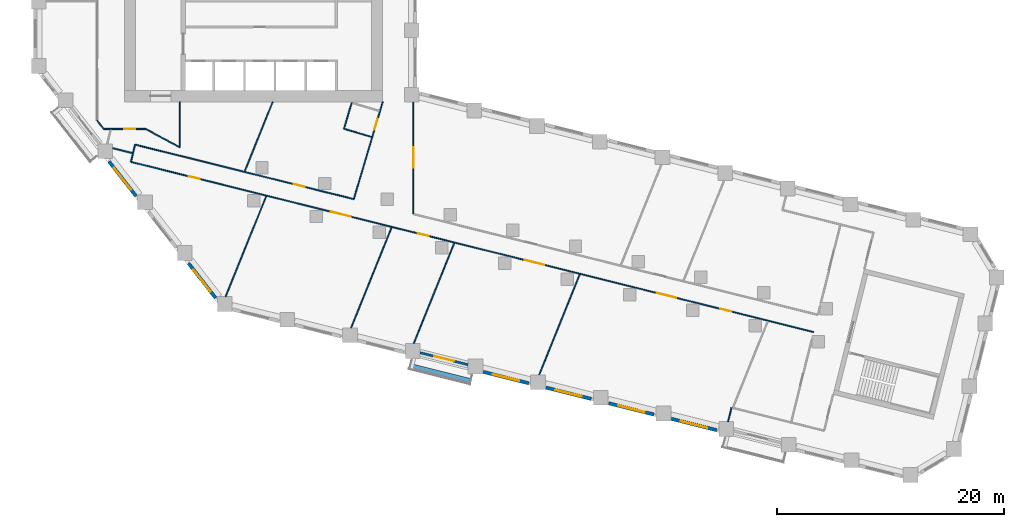
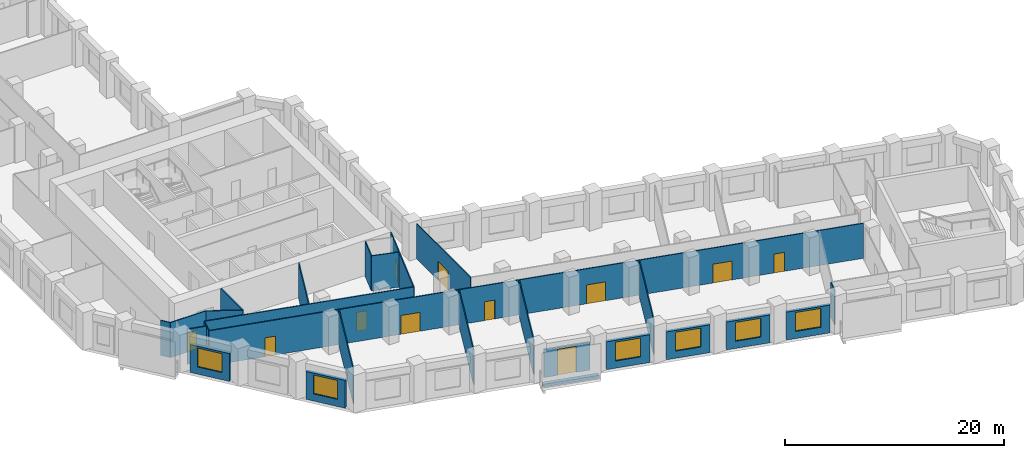
# One storey, part 3 of 10: 26 walls, 11 doors, 6 windows, 17 openings.
"""IFC4 building model written with IfcOpenShell, lengths in metres."""

from ifc_helpers import new_model, si_unit, direction, frame, frame_2d, origin, place, context, subcontext, project, spatial, rectangle, extrude, material, layer, layer_set, type_object, element, fill, save


model = new_model("IFC4")

# Units and contexts
model_context = context("Model", 3, precision=1e-05, world=origin(), true_north=direction((0.0, 1.0)))
body_context = subcontext(model_context, "Body", "Model", "MODEL_VIEW")
ifc_project = project(units=[si_unit("LENGTHUNIT", "METRE"), si_unit("AREAUNIT", "SQUARE_METRE"), si_unit("VOLUMEUNIT", "CUBIC_METRE"), si_unit("PLANEANGLEUNIT", "RADIAN"), si_unit("MASSUNIT", "GRAM", prefix="KILO")], contexts=[model_context])

# Site, building, storey
site_placement = place(None, origin())
site = spatial("IfcSite", under=ifc_project, at=site_placement, CompositionType="ELEMENT")
building_placement = place(site_placement, origin())
building = spatial("IfcBuilding", under=site, at=building_placement, Name="Meshkara Civic Tower", CompositionType="ELEMENT")
storey_placement = place(building_placement, frame((0.0, 0.0, 122.39990234375)))
storey = spatial("IfcBuildingStorey", under=building, at=storey_placement, Name="L27", CompositionType="ELEMENT", Elevation=122.39990234375)

# Wall
ifc_material_1 = material(Name="Corridor wall 100")
ifc_layer_1 = layer(ifc_material_1, 0.10009765625)
ifc_layer_set_1 = layer_set([ifc_layer_1], Name="Corridor wall 100")
wall_type_1 = type_object("IfcWallType", Name="Corridor wall 100", PredefinedType="PARTITIONING", material=ifc_layer_set_1)
wall_1_placement = place(storey_placement, frame((5.60009765625, 12.449951171875, 0.0), z_axis=(0.0, 0.0, 1.0), x_axis=(0.615644041972, -0.788024373725, 0.0)))
element("IfcWall", 1, at=wall_1_placement, inside=storey, type_object=wall_type_1, Name="L27-W004", PredefinedType="PARTITIONING", context=body_context, shape_type="SweptSolid", body=[
    extrude(rectangle(XDim=0.95166015625, YDim=0.10009765625, at=frame_2d((0.475830078125, 0.0))), origin(), (0.0, 0.0, 1.0), 3.900146484375),
])

# Wall, opening, door
wall_2_placement = place(storey_placement, frame((6.18603515625, 11.699951171875, 0.0), z_axis=(0.0, 0.0, 1.0), x_axis=(1.0, 0.0, 0.0)))
wall_2 = element("IfcWall", 2, at=wall_2_placement, inside=storey, type_object=wall_type_1, Name="L27-W006", PredefinedType="PARTITIONING", context=body_context, shape_type="SweptSolid", body=[
    extrude(rectangle(XDim=3.7138671875, YDim=0.10009765625, at=frame_2d((1.85693359375, 0.0))), origin(), (0.0, 0.0, 1.0), 3.900146484375),
])
opening_1_placement = place(wall_2_placement, frame((1.791015625, 0.0, 0.0)))
opening_1 = element("IfcOpeningElement", 3, at=opening_1_placement, cuts=wall_2, Name="Opening L27-D012", PredefinedType="OPENING", context=body_context, shape_type="SweptSolid", body=[
    extrude(rectangle(XDim=1.0, YDim=2.10009765625, at=frame_2d((0.5, 1.050048828125))), frame((0.0, 0.06005859375, 0.0), z_axis=(0.0, -1.0, 0.0), x_axis=(1.0, 0.0, 0.0)), (0.0, 0.0, 1.0), 0.1201171875),
])
ifc_material_2 = material(Name="Door 1000 x 2100")
door_type_1 = type_object("IfcDoorType", Name="Door 1000 x 2100", OperationType="SINGLE_SWING_LEFT", PredefinedType="DOOR", material=ifc_material_2)
door_1_placement = place(opening_1_placement, origin())
door_1 = element("IfcDoor", 4, at=door_1_placement, inside=storey, type_object=door_type_1, Name="L27-D012", OperationType="SINGLE_SWING_LEFT", OverallHeight=2.10009765625, OverallWidth=1.0, PredefinedType="DOOR", context=body_context, shape_type="SweptSolid", body=[
    extrude(rectangle(XDim=1.0, YDim=2.10009765625, at=frame_2d((0.5, 1.050048828125))), frame((0.0, 0.02490234375, 0.0), z_axis=(0.0, -1.0, 0.0), x_axis=(1.0, 0.0, 0.0)), (0.0, 0.0, 1.0), 0.050048828125),
])
fill(opening_1, door_1)

# Wall, openings, doors
wall_3_placement = place(storey_placement, frame((8.5791015625, 8.802978515625, 0.0), z_axis=(0.0, 0.0, 1.0), x_axis=(0.970297306393, -0.241915558008, 0.0)))
wall_3 = element("IfcWall", 5, at=wall_3_placement, inside=storey, type_object=wall_type_1, Name="L27-W008", PredefinedType="PARTITIONING", context=body_context, shape_type="SweptSolid", body=[
    extrude(rectangle(XDim=62.07568359375, YDim=0.10009765625, at=frame_2d((31.037841796875, 0.0))), origin(), (0.0, 0.0, 1.0), 3.900146484375),
])
opening_2_placement = place(wall_3_placement, frame((35.799072265625, 0.0, 0.0)))
opening_2 = element("IfcOpeningElement", 6, at=opening_2_placement, cuts=wall_3, Name="Opening L27-D003", PredefinedType="OPENING", context=body_context, shape_type="SweptSolid", body=[
    extrude(rectangle(XDim=1.800048828125, YDim=2.10009765625, at=frame_2d((0.89990234375, 1.050048828125))), frame((0.0, 0.06005859375, 0.0), z_axis=(0.0, -1.0, 0.0), x_axis=(1.0, 0.0, 0.0)), (0.0, 0.0, 1.0), 0.1201171875),
])
opening_3_placement = place(wall_3_placement, frame((47.799072265625, 0.0, 0.0)))
opening_3 = element("IfcOpeningElement", 7, at=opening_3_placement, cuts=wall_3, Name="Opening L27-D005", PredefinedType="OPENING", context=body_context, shape_type="SweptSolid", body=[
    extrude(rectangle(XDim=1.800048828125, YDim=2.10009765625, at=frame_2d((0.89990234375, 1.050048828125))), frame((0.0, 0.06005859375, 0.0), z_axis=(0.0, -1.0, 0.0), x_axis=(1.0, 0.0, 0.0)), (0.0, 0.0, 1.0), 0.1201171875),
])
opening_4_placement = place(wall_3_placement, frame((53.59912109375, 0.0, 0.0)))
opening_4 = element("IfcOpeningElement", 8, at=opening_4_placement, cuts=wall_3, Name="Opening L27-D006", PredefinedType="OPENING", context=body_context, shape_type="SweptSolid", body=[
    extrude(rectangle(XDim=1.0, YDim=2.10009765625, at=frame_2d((0.5, 1.050048828125))), frame((0.0, 0.06005859375, 0.0), z_axis=(0.0, -1.0, 0.0), x_axis=(1.0, 0.0, 0.0)), (0.0, 0.0, 1.0), 0.1201171875),
])
opening_5_placement = place(wall_3_placement, frame((18.199951171875, 0.0, 0.0)))
opening_5 = element("IfcOpeningElement", 9, at=opening_5_placement, cuts=wall_3, Name="Opening L27-D007", PredefinedType="OPENING", context=body_context, shape_type="SweptSolid", body=[
    extrude(rectangle(XDim=1.800048828125, YDim=2.10009765625, at=frame_2d((0.89990234375, 1.050048828125))), frame((0.0, 0.06005859375, 0.0), z_axis=(0.0, -1.0, 0.0), x_axis=(1.0, 0.0, 0.0)), (0.0, 0.0, 1.0), 0.1201171875),
])
opening_6_placement = place(wall_3_placement, frame((26.09912109375, 0.0, 0.0)))
opening_6 = element("IfcOpeningElement", 10, at=opening_6_placement, cuts=wall_3, Name="Opening L27-D008", PredefinedType="OPENING", context=body_context, shape_type="SweptSolid", body=[
    extrude(rectangle(XDim=1.0, YDim=2.10009765625, at=frame_2d((0.5, 1.050048828125))), frame((0.0, 0.06005859375, 0.0), z_axis=(0.0, -1.0, 0.0), x_axis=(1.0, 0.0, 0.0)), (0.0, 0.0, 1.0), 0.1201171875),
])
opening_7_placement = place(wall_3_placement, frame((5.280029296875, 0.0, 0.0)))
opening_7 = element("IfcOpeningElement", 11, at=opening_7_placement, cuts=wall_3, Name="Opening L27-D013", PredefinedType="OPENING", context=body_context, shape_type="SweptSolid", body=[
    extrude(rectangle(XDim=1.0, YDim=2.10009765625, at=frame_2d((0.5, 1.050048828125))), frame((0.0, 0.06005859375, 0.0), z_axis=(0.0, -1.0, 0.0), x_axis=(1.0, 0.0, 0.0)), (0.0, 0.0, 1.0), 0.1201171875),
])
door_2_placement = place(opening_4_placement, origin())
door_2 = element("IfcDoor", 12, at=door_2_placement, inside=storey, type_object=door_type_1, Name="L27-D006", OperationType="SINGLE_SWING_LEFT", OverallHeight=2.10009765625, OverallWidth=1.0, PredefinedType="DOOR", context=body_context, shape_type="SweptSolid", body=[
    extrude(rectangle(XDim=1.0, YDim=2.10009765625, at=frame_2d((0.5, 1.050048828125))), frame((0.0, 0.02490234375, 0.0), z_axis=(0.0, -1.0, 0.0), x_axis=(1.0, 0.0, 0.0)), (0.0, 0.0, 1.0), 0.050048828125),
])
fill(opening_4, door_2)
door_3_placement = place(opening_6_placement, origin())
door_3 = element("IfcDoor", 13, at=door_3_placement, inside=storey, type_object=door_type_1, Name="L27-D008", OperationType="SINGLE_SWING_LEFT", OverallHeight=2.10009765625, OverallWidth=1.0, PredefinedType="DOOR", context=body_context, shape_type="SweptSolid", body=[
    extrude(rectangle(XDim=1.0, YDim=2.10009765625, at=frame_2d((0.5, 1.050048828125))), frame((0.0, 0.02490234375, 0.0), z_axis=(0.0, -1.0, 0.0), x_axis=(1.0, 0.0, 0.0)), (0.0, 0.0, 1.0), 0.050048828125),
])
fill(opening_6, door_3)
door_4_placement = place(opening_7_placement, origin())
door_4 = element("IfcDoor", 14, at=door_4_placement, inside=storey, type_object=door_type_1, Name="L27-D013", OperationType="SINGLE_SWING_RIGHT", OverallHeight=2.10009765625, OverallWidth=1.0, PredefinedType="DOOR", context=body_context, shape_type="SweptSolid", body=[
    extrude(rectangle(XDim=1.0, YDim=2.10009765625, at=frame_2d((0.5, 1.050048828125))), frame((0.0, 0.02490234375, 0.0), z_axis=(0.0, -1.0, 0.0), x_axis=(1.0, 0.0, 0.0)), (0.0, 0.0, 1.0), 0.050048828125),
])
fill(opening_7, door_4)
ifc_material_3 = material(Name="Door pair 1800 x 2100")
door_type_2 = type_object("IfcDoorType", Name="Door pair 1800 x 2100", OperationType="SINGLE_SWING_LEFT", PredefinedType="DOOR", material=ifc_material_3)
door_5_placement = place(opening_2_placement, origin())
door_5 = element("IfcDoor", 15, at=door_5_placement, inside=storey, type_object=door_type_2, Name="L27-D003", OperationType="DOUBLE_DOOR_SINGLE_SWING", OverallHeight=2.10009765625, OverallWidth=1.800048828125, PredefinedType="DOOR", context=body_context, shape_type="SweptSolid", body=[
    extrude(rectangle(XDim=1.800048828125, YDim=2.10009765625, at=frame_2d((0.89990234375, 1.050048828125))), frame((0.0, 0.02490234375, 0.0), z_axis=(0.0, -1.0, 0.0), x_axis=(1.0, 0.0, 0.0)), (0.0, 0.0, 1.0), 0.050048828125),
])
fill(opening_2, door_5)
door_6_placement = place(opening_3_placement, origin())
door_6 = element("IfcDoor", 16, at=door_6_placement, inside=storey, type_object=door_type_2, Name="L27-D005", OperationType="DOUBLE_DOOR_SINGLE_SWING", OverallHeight=2.10009765625, OverallWidth=1.800048828125, PredefinedType="DOOR", context=body_context, shape_type="SweptSolid", body=[
    extrude(rectangle(XDim=1.800048828125, YDim=2.10009765625, at=frame_2d((0.89990234375, 1.050048828125))), frame((0.0, 0.02490234375, 0.0), z_axis=(0.0, -1.0, 0.0), x_axis=(1.0, 0.0, 0.0)), (0.0, 0.0, 1.0), 0.050048828125),
])
fill(opening_3, door_6)
door_7_placement = place(opening_5_placement, origin())
door_7 = element("IfcDoor", 17, at=door_7_placement, inside=storey, type_object=door_type_2, Name="L27-D007", OperationType="DOUBLE_DOOR_SINGLE_SWING", OverallHeight=2.10009765625, OverallWidth=1.800048828125, PredefinedType="DOOR", context=body_context, shape_type="SweptSolid", body=[
    extrude(rectangle(XDim=1.800048828125, YDim=2.10009765625, at=frame_2d((0.89990234375, 1.050048828125))), frame((0.0, 0.02490234375, 0.0), z_axis=(0.0, -1.0, 0.0), x_axis=(1.0, 0.0, 0.0)), (0.0, 0.0, 1.0), 0.050048828125),
])
fill(opening_5, door_7)

# Wall, opening, door
wall_4_placement = place(storey_placement, frame((8.9580078125, 10.322998046875, 0.0), z_axis=(0.0, 0.0, 1.0), x_axis=(0.970298340477, -0.241911410372, 0.0)))
wall_4 = element("IfcWall", 18, at=wall_4_placement, inside=storey, type_object=wall_type_1, Name="L27-W009", PredefinedType="PARTITIONING", context=body_context, shape_type="SweptSolid", body=[
    extrude(rectangle(XDim=19.879638671875, YDim=0.10009765625, at=frame_2d((9.93994140625, 0.0))), origin(), (0.0, 0.0, 1.0), 3.900146484375),
])
opening_8_placement = place(wall_4_placement, frame((14.4169921875, 0.0, 0.0)))
opening_8 = element("IfcOpeningElement", 19, at=opening_8_placement, cuts=wall_4, Name="Opening L27-D014", PredefinedType="OPENING", context=body_context, shape_type="SweptSolid", body=[
    extrude(rectangle(XDim=1.0, YDim=2.10009765625, at=frame_2d((0.5, 1.050048828125))), frame((0.0, 0.06005859375, 0.0), z_axis=(0.0, -1.0, 0.0), x_axis=(1.0, 0.0, 0.0)), (0.0, 0.0, 1.0), 0.1201171875),
])
door_8_placement = place(opening_8_placement, origin())
door_8 = element("IfcDoor", 20, at=door_8_placement, inside=storey, type_object=door_type_1, Name="L27-D014", OperationType="SINGLE_SWING_RIGHT", OverallHeight=2.10009765625, OverallWidth=1.0, PredefinedType="DOOR", context=body_context, shape_type="SweptSolid", body=[
    extrude(rectangle(XDim=1.0, YDim=2.10009765625, at=frame_2d((0.5, 1.050048828125))), frame((0.0, 0.02490234375, 0.0), z_axis=(0.0, -1.0, 0.0), x_axis=(1.0, 0.0, 0.0)), (0.0, 0.0, 1.0), 0.050048828125),
])
fill(opening_8, door_8)

# Walls
wall_5_placement = place(storey_placement, frame((8.9580078125, 10.322998046875, 0.0), z_axis=(0.0, 0.0, 1.0), x_axis=(-0.241875508386, -0.97030729073, 0.0)))
element("IfcWall", 21, at=wall_5_placement, inside=storey, type_object=wall_type_1, Name="L27-W010", PredefinedType="PARTITIONING", context=body_context, shape_type="SweptSolid", body=[
    extrude(rectangle(XDim=1.566650390625, YDim=0.10009765625, at=frame_2d((0.783203125, 0.0))), origin(), (0.0, 0.0, 1.0), 3.900146484375),
])
wall_6_placement = place(storey_placement, frame((9.89990234375, 11.699951171875, 0.0), z_axis=(0.0, 0.0, 1.0), x_axis=(0.87965147249, -0.475618846291, 0.0)))
element("IfcWall", 22, at=wall_6_placement, inside=storey, type_object=wall_type_1, Name="L27-W011", PredefinedType="PARTITIONING", context=body_context, shape_type="SweptSolid", body=[
    extrude(rectangle(XDim=3.410400390625, YDim=0.10009765625, at=frame_2d((1.705078125, 0.0))), origin(), (0.0, 0.0, 1.0), 3.900146484375),
])
wall_7_placement = place(storey_placement, frame((12.89990234375, 10.077880859375, 0.0), z_axis=(0.0, 0.0, 1.0), x_axis=(0.0, 1.0, 0.0)))
element("IfcWall", 23, at=wall_7_placement, inside=storey, type_object=wall_type_1, Name="L27-W016", PredefinedType="PARTITIONING", context=body_context, shape_type="SweptSolid", body=[
    extrude(rectangle(XDim=4.022216796875, YDim=0.10009765625, at=frame_2d((2.01123046875, 0.0))), origin(), (0.0, 0.0, 1.0), 3.900146484375),
])

# Wall, opening, door
wall_8_placement = place(storey_placement, frame((28.2470703125, 5.513916015625, 0.0), z_axis=(0.0, 0.0, 1.0), x_axis=(0.285004107837, 0.958526295162, 0.0)))
wall_8 = element("IfcWall", 24, at=wall_8_placement, inside=storey, type_object=wall_type_1, Name="L27-W020", PredefinedType="PARTITIONING", context=body_context, shape_type="SweptSolid", body=[
    extrude(rectangle(XDim=8.957763671875, YDim=0.10009765625, at=frame_2d((4.47900390625, 0.0))), origin(), (0.0, 0.0, 1.0), 3.900146484375),
])
opening_9_placement = place(wall_8_placement, frame((6.3798828125, 0.0, 0.0)))
opening_9 = element("IfcOpeningElement", 25, at=opening_9_placement, cuts=wall_8, Name="Opening L27-D017", PredefinedType="OPENING", context=body_context, shape_type="SweptSolid", body=[
    extrude(rectangle(XDim=1.0, YDim=2.10009765625, at=frame_2d((0.5, 1.050048828125))), frame((0.0, 0.06005859375, 0.0), z_axis=(0.0, -1.0, 0.0), x_axis=(1.0, 0.0, 0.0)), (0.0, 0.0, 1.0), 0.1201171875),
])
door_9_placement = place(opening_9_placement, origin())
door_9 = element("IfcDoor", 26, at=door_9_placement, inside=storey, type_object=door_type_1, Name="L27-D017", OperationType="SINGLE_SWING_LEFT", OverallHeight=2.10009765625, OverallWidth=1.0, PredefinedType="DOOR", context=body_context, shape_type="SweptSolid", body=[
    extrude(rectangle(XDim=1.0, YDim=2.10009765625, at=frame_2d((0.5, 1.050048828125))), frame((0.0, 0.02490234375, 0.0), z_axis=(0.0, -1.0, 0.0), x_axis=(1.0, 0.0, 0.0)), (0.0, 0.0, 1.0), 0.050048828125),
])
fill(opening_9, door_9)

wall_9_placement = place(storey_placement, frame((33.5, 4.2041015625, 0.0), z_axis=(0.0, 0.0, 1.0), x_axis=(0.0, 1.0, 0.0)))
wall_9 = element("IfcWall", 27, at=wall_9_placement, inside=storey, type_object=wall_type_1, Name="L27-W023", PredefinedType="PARTITIONING", context=body_context, shape_type="SweptSolid", body=[
    extrude(rectangle(XDim=9.864990234375, YDim=0.10009765625, at=frame_2d((4.9326171875, 0.0))), origin(), (0.0, 0.0, 1.0), 3.900146484375),
])
opening_10_placement = place(wall_9_placement, frame((4.080078125, 0.0, 0.0)))
opening_10 = element("IfcOpeningElement", 28, at=opening_10_placement, cuts=wall_9, Name="Opening L27-D015", PredefinedType="OPENING", context=body_context, shape_type="SweptSolid", body=[
    extrude(rectangle(XDim=1.800048828125, YDim=2.10009765625, at=frame_2d((0.89990234375, 1.050048828125))), frame((0.0, 0.06005859375, 0.0), z_axis=(0.0, -1.0, 0.0), x_axis=(1.0, 0.0, 0.0)), (0.0, 0.0, 1.0), 0.1201171875),
])
door_10_placement = place(opening_10_placement, origin())
door_10 = element("IfcDoor", 29, at=door_10_placement, inside=storey, type_object=door_type_2, Name="L27-D015", OperationType="DOUBLE_DOOR_SINGLE_SWING", OverallHeight=2.10009765625, OverallWidth=1.800048828125, PredefinedType="DOOR", context=body_context, shape_type="SweptSolid", body=[
    extrude(rectangle(XDim=1.800048828125, YDim=2.10009765625, at=frame_2d((0.89990234375, 1.050048828125))), frame((0.0, 0.02490234375, 0.0), z_axis=(0.0, -1.0, 0.0), x_axis=(1.0, 0.0, 0.0)), (0.0, 0.0, 1.0), 0.050048828125),
])
fill(opening_10, door_10)

# Wall, opening, window
ifc_material_4 = material(Name="Insulated infill panel with bronze anodised aluminium cladding", Category="aluminium")
ifc_layer_2 = layer(ifc_material_4, 0.300048828125)
ifc_layer_set_2 = layer_set([ifc_layer_2], Name="EXTERNAL INFILL WALL 300")
wall_type_2 = type_object("IfcWallType", Name="EXTERNAL INFILL WALL 300", PredefinedType="SOLIDWALL", material=ifc_layer_set_2)
wall_10_placement = place(storey_placement, frame((6.64892578125, 8.833984375, 0.0), z_axis=(0.0, 0.0, 1.0), x_axis=(0.615535257281, -0.788109349674, 0.0)))
wall_10 = element("IfcWall", 30, at=wall_10_placement, inside=storey, type_object=wall_type_2, Name="External wall", PredefinedType="SOLIDWALL", context=body_context, shape_type="SweptSolid", body=[
    extrude(rectangle(XDim=3.876220703125, YDim=0.300048828125, at=frame_2d((1.93798828125, 0.0))), origin(), (0.0, 0.0, 1.0), 3.10009765625),
])
opening_11_placement = place(wall_10_placement, frame((0.738037109375, 0.0, 0.800048828125)))
opening_11 = element("IfcOpeningElement", 31, at=opening_11_placement, cuts=wall_10, Name="Opening W7", PredefinedType="OPENING", context=body_context, shape_type="SweptSolid", body=[
    extrude(rectangle(XDim=2.39990234375, YDim=2.10009765625, at=frame_2d((1.199951171875, 1.050048828125))), frame((0.0, 0.159912109375, 0.0), z_axis=(0.0, -1.0, 0.0), x_axis=(1.0, 0.0, 0.0)), (0.0, 0.0, 1.0), 0.320068359375),
])
ifc_material_5 = material(Name="Tinted double glazing", Category="glass")
window_type = type_object("IfcWindowType", Name="WINDOW 2400x2100", PartitioningType="DOUBLE_PANEL_VERTICAL", PredefinedType="WINDOW", material=ifc_material_5)
window_1_placement = place(opening_11_placement, origin())
window_1 = element("IfcWindow", 32, at=window_1_placement, inside=storey, type_object=window_type, Name="Window", OverallHeight=2.10009765625, OverallWidth=2.39990234375, PartitioningType="DOUBLE_PANEL_VERTICAL", PredefinedType="WINDOW", context=body_context, shape_type="SweptSolid", body=[
    extrude(rectangle(XDim=2.39990234375, YDim=2.10009765625, at=frame_2d((1.199951171875, 1.050048828125))), frame((0.0, 0.030029296875, 0.0), z_axis=(0.0, -1.0, 0.0), x_axis=(1.0, 0.0, 0.0)), (0.0, 0.0, 1.0), 0.06005859375),
])
fill(opening_11, window_1)

wall_11_placement = place(storey_placement, frame((13.6669921875, -0.14990234375, 0.0), z_axis=(0.0, 0.0, 1.0), x_axis=(0.615626928003, -0.788037743714, 0.0)))
wall_11 = element("IfcWall", 33, at=wall_11_placement, inside=storey, type_object=wall_type_2, Name="External wall", PredefinedType="SOLIDWALL", context=body_context, shape_type="SweptSolid", body=[
    extrude(rectangle(XDim=3.875732421875, YDim=0.300048828125, at=frame_2d((1.93798828125, 0.0))), origin(), (0.0, 0.0, 1.0), 3.10009765625),
])
opening_12_placement = place(wall_11_placement, frame((0.738037109375, 0.0, 0.800048828125)))
opening_12 = element("IfcOpeningElement", 34, at=opening_12_placement, cuts=wall_11, Name="Opening W7", PredefinedType="OPENING", context=body_context, shape_type="SweptSolid", body=[
    extrude(rectangle(XDim=2.39990234375, YDim=2.10009765625, at=frame_2d((1.199951171875, 1.050048828125))), frame((0.0, 0.159912109375, 0.0), z_axis=(0.0, -1.0, 0.0), x_axis=(1.0, 0.0, 0.0)), (0.0, 0.0, 1.0), 0.320068359375),
])
window_2_placement = place(opening_12_placement, origin())
window_2 = element("IfcWindow", 35, at=window_2_placement, inside=storey, type_object=window_type, Name="Window", OverallHeight=2.10009765625, OverallWidth=2.39990234375, PartitioningType="DOUBLE_PANEL_VERTICAL", PredefinedType="WINDOW", context=body_context, shape_type="SweptSolid", body=[
    extrude(rectangle(XDim=2.39990234375, YDim=2.10009765625, at=frame_2d((1.199951171875, 1.050048828125))), frame((0.0, 0.030029296875, 0.0), z_axis=(0.0, -1.0, 0.0), x_axis=(1.0, 0.0, 0.0)), (0.0, 0.0, 1.0), 0.06005859375),
])
fill(opening_12, window_2)

wall_12_placement = place(storey_placement, frame((39.666015625, -9.735107421875, 0.0), z_axis=(0.0, 0.0, 1.0), x_axis=(0.97029551261, -0.241922752565, 0.0)))
wall_12 = element("IfcWall", 36, at=wall_12_placement, inside=storey, type_object=wall_type_2, Name="External wall", PredefinedType="SOLIDWALL", context=body_context, shape_type="SweptSolid", body=[
    extrude(rectangle(XDim=4.12451171875, YDim=0.300048828125, at=frame_2d((2.062255859375, 0.0))), origin(), (0.0, 0.0, 1.0), 3.10009765625),
])
opening_13_placement = place(wall_12_placement, frame((0.862060546875, 0.0, 0.800048828125)))
opening_13 = element("IfcOpeningElement", 37, at=opening_13_placement, cuts=wall_12, Name="Opening W7", PredefinedType="OPENING", context=body_context, shape_type="SweptSolid", body=[
    extrude(rectangle(XDim=2.39990234375, YDim=2.10009765625, at=frame_2d((1.199951171875, 1.050048828125))), frame((0.0, 0.159912109375, 0.0), z_axis=(0.0, -1.0, 0.0), x_axis=(1.0, 0.0, 0.0)), (0.0, 0.0, 1.0), 0.320068359375),
])
window_3_placement = place(opening_13_placement, origin())
window_3 = element("IfcWindow", 38, at=window_3_placement, inside=storey, type_object=window_type, Name="Window", OverallHeight=2.10009765625, OverallWidth=2.39990234375, PartitioningType="DOUBLE_PANEL_VERTICAL", PredefinedType="WINDOW", context=body_context, shape_type="SweptSolid", body=[
    extrude(rectangle(XDim=2.39990234375, YDim=2.10009765625, at=frame_2d((1.199951171875, 1.050048828125))), frame((0.0, 0.030029296875, 0.0), z_axis=(0.0, -1.0, 0.0), x_axis=(1.0, 0.0, 0.0)), (0.0, 0.0, 1.0), 0.06005859375),
])
fill(opening_13, window_3)

wall_13_placement = place(storey_placement, frame((45.197021484375, -11.114013671875, 0.0), z_axis=(0.0, 0.0, 1.0), x_axis=(0.970267747908, -0.242034083076, 0.0)))
wall_13 = element("IfcWall", 39, at=wall_13_placement, inside=storey, type_object=wall_type_2, Name="External wall", PredefinedType="SOLIDWALL", context=body_context, shape_type="SweptSolid", body=[
    extrude(rectangle(XDim=4.12353515625, YDim=0.300048828125, at=frame_2d((2.061767578125, 0.0))), origin(), (0.0, 0.0, 1.0), 3.10009765625),
])
opening_14_placement = place(wall_13_placement, frame((0.862060546875, 0.0, 0.800048828125)))
opening_14 = element("IfcOpeningElement", 40, at=opening_14_placement, cuts=wall_13, Name="Opening W7", PredefinedType="OPENING", context=body_context, shape_type="SweptSolid", body=[
    extrude(rectangle(XDim=2.39990234375, YDim=2.10009765625, at=frame_2d((1.199951171875, 1.050048828125))), frame((0.0, 0.159912109375, 0.0), z_axis=(0.0, -1.0, 0.0), x_axis=(1.0, 0.0, 0.0)), (0.0, 0.0, 1.0), 0.320068359375),
])
window_4_placement = place(opening_14_placement, origin())
window_4 = element("IfcWindow", 41, at=window_4_placement, inside=storey, type_object=window_type, Name="Window", OverallHeight=2.10009765625, OverallWidth=2.39990234375, PartitioningType="DOUBLE_PANEL_VERTICAL", PredefinedType="WINDOW", context=body_context, shape_type="SweptSolid", body=[
    extrude(rectangle(XDim=2.39990234375, YDim=2.10009765625, at=frame_2d((1.199951171875, 1.050048828125))), frame((0.0, 0.030029296875, 0.0), z_axis=(0.0, -1.0, 0.0), x_axis=(1.0, 0.0, 0.0)), (0.0, 0.0, 1.0), 0.06005859375),
])
fill(opening_14, window_4)

wall_14_placement = place(storey_placement, frame((50.72705078125, -12.492919921875, 0.0), z_axis=(0.0, 0.0, 1.0), x_axis=(0.970281616392, -0.241978480223, 0.0)))
wall_14 = element("IfcWall", 42, at=wall_14_placement, inside=storey, type_object=wall_type_2, Name="External wall", PredefinedType="SOLIDWALL", context=body_context, shape_type="SweptSolid", body=[
    extrude(rectangle(XDim=4.12451171875, YDim=0.300048828125, at=frame_2d((2.062255859375, 0.0))), origin(), (0.0, 0.0, 1.0), 3.10009765625),
])
opening_15_placement = place(wall_14_placement, frame((0.862060546875, 0.0, 0.800048828125)))
opening_15 = element("IfcOpeningElement", 43, at=opening_15_placement, cuts=wall_14, Name="Opening W7", PredefinedType="OPENING", context=body_context, shape_type="SweptSolid", body=[
    extrude(rectangle(XDim=2.39990234375, YDim=2.10009765625, at=frame_2d((1.199951171875, 1.050048828125))), frame((0.0, 0.159912109375, 0.0), z_axis=(0.0, -1.0, 0.0), x_axis=(1.0, 0.0, 0.0)), (0.0, 0.0, 1.0), 0.320068359375),
])
window_5_placement = place(opening_15_placement, origin())
window_5 = element("IfcWindow", 44, at=window_5_placement, inside=storey, type_object=window_type, Name="Window", OverallHeight=2.10009765625, OverallWidth=2.39990234375, PartitioningType="DOUBLE_PANEL_VERTICAL", PredefinedType="WINDOW", context=body_context, shape_type="SweptSolid", body=[
    extrude(rectangle(XDim=2.39990234375, YDim=2.10009765625, at=frame_2d((1.199951171875, 1.050048828125))), frame((0.0, 0.030029296875, 0.0), z_axis=(0.0, -1.0, 0.0), x_axis=(1.0, 0.0, 0.0)), (0.0, 0.0, 1.0), 0.06005859375),
])
fill(opening_15, window_5)

wall_15_placement = place(storey_placement, frame((56.258056640625, -13.8720703125, 0.0), z_axis=(0.0, 0.0, 1.0), x_axis=(0.970281616392, -0.241978480223, 0.0)))
wall_15 = element("IfcWall", 45, at=wall_15_placement, inside=storey, type_object=wall_type_2, Name="External wall", PredefinedType="SOLIDWALL", context=body_context, shape_type="SweptSolid", body=[
    extrude(rectangle(XDim=4.12451171875, YDim=0.300048828125, at=frame_2d((2.062255859375, 0.0))), origin(), (0.0, 0.0, 1.0), 3.10009765625),
])
opening_16_placement = place(wall_15_placement, frame((0.862060546875, 0.0, 0.800048828125)))
opening_16 = element("IfcOpeningElement", 46, at=opening_16_placement, cuts=wall_15, Name="Opening W7", PredefinedType="OPENING", context=body_context, shape_type="SweptSolid", body=[
    extrude(rectangle(XDim=2.39990234375, YDim=2.10009765625, at=frame_2d((1.199951171875, 1.050048828125))), frame((0.0, 0.159912109375, 0.0), z_axis=(0.0, -1.0, 0.0), x_axis=(1.0, 0.0, 0.0)), (0.0, 0.0, 1.0), 0.320068359375),
])
window_6_placement = place(opening_16_placement, origin())
window_6 = element("IfcWindow", 47, at=window_6_placement, inside=storey, type_object=window_type, Name="Window", OverallHeight=2.10009765625, OverallWidth=2.39990234375, PartitioningType="DOUBLE_PANEL_VERTICAL", PredefinedType="WINDOW", context=body_context, shape_type="SweptSolid", body=[
    extrude(rectangle(XDim=2.39990234375, YDim=2.10009765625, at=frame_2d((1.199951171875, 1.050048828125))), frame((0.0, 0.030029296875, 0.0), z_axis=(0.0, -1.0, 0.0), x_axis=(1.0, 0.0, 0.0)), (0.0, 0.0, 1.0), 0.06005859375),
])
fill(opening_16, window_6)

# Wall, opening, door
ifc_material_6 = material(Name="Insulated infill panel with bronze anodised aluminium cladding", Category="aluminium")
ifc_layer_3 = layer(ifc_material_6, 0.199951171875)
ifc_layer_set_3 = layer_set([ifc_layer_3], Name="LOGGIA BACK WALL 200")
wall_type_3 = type_object("IfcWallType", Name="LOGGIA BACK WALL 200", PredefinedType="SOLIDWALL", material=ifc_layer_set_3)
wall_16_placement = place(storey_placement, frame((34.093017578125, -8.037109375, 0.0), z_axis=(0.0, 0.0, 1.0), x_axis=(0.970346363444, -0.241718710386, 0.0)))
wall_16 = element("IfcWall", 48, at=wall_16_placement, inside=storey, type_object=wall_type_3, Name="Loggia wall", PredefinedType="SOLIDWALL", context=body_context, shape_type="SweptSolid", body=[
    extrude(rectangle(XDim=4.3603515625, YDim=0.199951171875, at=frame_2d((2.18017578125, 0.0))), origin(), (0.0, 0.0, 1.0), 3.10009765625),
])
opening_17_placement = place(wall_16_placement, frame((1.280029296875, 0.0, 0.0)))
opening_17 = element("IfcOpeningElement", 49, at=opening_17_placement, cuts=wall_16, Name="Opening L27-L004", PredefinedType="OPENING", context=body_context, shape_type="SweptSolid", body=[
    extrude(rectangle(XDim=1.800048828125, YDim=2.89990234375, at=frame_2d((0.89990234375, 1.449951171875))), frame((0.0, 0.10986328125, 0.0), z_axis=(0.0, -1.0, 0.0), x_axis=(1.0, 0.0, 0.0)), (0.0, 0.0, 1.0), 0.219970703125),
])
ifc_material_7 = material(Name="Tinted double glazing", Category="glass")
door_type_3 = type_object("IfcDoorType", Name="LOGGIA DOOR 1800x2900", OperationType="DOUBLE_DOOR_SINGLE_SWING", PredefinedType="DOOR", material=ifc_material_7)
door_11_placement = place(opening_17_placement, origin())
door_11 = element("IfcDoor", 50, at=door_11_placement, inside=storey, type_object=door_type_3, Name="L27-L004", OperationType="DOUBLE_DOOR_SINGLE_SWING", OverallHeight=2.89990234375, OverallWidth=1.800048828125, PredefinedType="DOOR", context=body_context, shape_type="SweptSolid", body=[
    extrude(rectangle(XDim=1.800048828125, YDim=2.89990234375, at=frame_2d((0.89990234375, 1.449951171875))), frame((0.0, 0.02490234375, 0.0), z_axis=(0.0, -1.0, 0.0), x_axis=(1.0, 0.0, 0.0)), (0.0, 0.0, 1.0), 0.050048828125),
])
fill(opening_17, door_11)

# Walls
ifc_material_8 = material(Name="Concrete C40", Category="concrete")
ifc_layer_4 = layer(ifc_material_8, 0.39990234375)
ifc_layer_set_4 = layer_set([ifc_layer_4], Name="PLANTER TRAY")
wall_type_4 = type_object("IfcWallType", Name="PLANTER TRAY", PredefinedType="SOLIDWALL", material=ifc_layer_set_4)
wall_17_placement = place(storey_placement, frame((33.285888671875, -9.2060546875, 0.0), z_axis=(0.0, 0.0, 1.0), x_axis=(0.970292345375, -0.241935455249, 0.0)))
element("IfcWall", 51, at=wall_17_placement, inside=storey, type_object=wall_type_4, Name="Planter", PredefinedType="SOLIDWALL", context=body_context, shape_type="SweptSolid", body=[
    extrude(rectangle(XDim=5.3603515625, YDim=0.39990234375, at=frame_2d((2.68017578125, 0.0))), origin(), (0.0, 0.0, 1.0), 0.300048828125),
])
ifc_material_9 = material(Name="Partition 100")
ifc_layer_5 = layer(ifc_material_9, 0.10009765625)
ifc_layer_set_5 = layer_set([ifc_layer_5], Name="Partition 100")
wall_type_5 = type_object("IfcWallType", Name="Partition 100", PredefinedType="PARTITIONING", material=ifc_layer_set_5)
wall_18_placement = place(storey_placement, frame((8.718994140625, 9.574951171875, 0.0), z_axis=(0.0, 0.0, 1.0), x_axis=(-0.970333736057, 0.241769395645, 0.0)))
element("IfcWall", 52, at=wall_18_placement, inside=storey, type_object=wall_type_5, Name="L27-W036", PredefinedType="PARTITIONING", context=body_context, shape_type="SweptSolid", body=[
    extrude(rectangle(XDim=1.799560546875, YDim=0.10009765625, at=frame_2d((0.89990234375, 0.0))), origin(), (0.0, 0.0, 1.0), 3.900146484375),
])
wall_19_placement = place(storey_placement, frame((16.94189453125, -3.087890625, 0.0), z_axis=(0.0, 0.0, 1.0), x_axis=(0.374526444387, 0.927216232847, 0.0)))
element("IfcWall", 53, at=wall_19_placement, inside=storey, type_object=wall_type_5, Name="L27-W038", PredefinedType="PARTITIONING", context=body_context, shape_type="SweptSolid", body=[
    extrude(rectangle(XDim=9.551025390625, YDim=0.10009765625, at=frame_2d((4.775390625, 0.0))), origin(), (0.0, 0.0, 1.0), 3.900146484375),
])
wall_20_placement = place(storey_placement, frame((18.6220703125, 7.971923828125, 0.0), z_axis=(0.0, 0.0, 1.0), x_axis=(0.374464881939, 0.927241097123, 0.0)))
element("IfcWall", 54, at=wall_20_placement, inside=storey, type_object=wall_type_5, Name="L27-W039", PredefinedType="PARTITIONING", context=body_context, shape_type="SweptSolid", body=[
    extrude(rectangle(XDim=6.609130859375, YDim=0.10009765625, at=frame_2d((3.3046875, 0.0))), origin(), (0.0, 0.0, 1.0), 3.900146484375),
])
wall_21_placement = place(storey_placement, frame((27.37890625, 11.718017578125, 0.0), z_axis=(0.0, 0.0, 1.0), x_axis=(0.284967742607, 0.958537107093, 0.0)))
element("IfcWall", 55, at=wall_21_placement, inside=storey, type_object=wall_type_5, Name="L27-W043", PredefinedType="PARTITIONING", context=body_context, shape_type="SweptSolid", body=[
    extrude(rectangle(XDim=2.400634765625, YDim=0.10009765625, at=frame_2d((1.2001953125, 0.0))), origin(), (0.0, 0.0, 1.0), 3.900146484375),
])
wall_22_placement = place(storey_placement, frame((28.001953125, -5.845947265625, 0.0), z_axis=(0.0, 0.0, 1.0), x_axis=(0.374614343131, 0.927180723441, 0.0)))
element("IfcWall", 56, at=wall_22_placement, inside=storey, type_object=wall_type_5, Name="L27-W044", PredefinedType="PARTITIONING", context=body_context, shape_type="SweptSolid", body=[
    extrude(rectangle(XDim=9.551513671875, YDim=0.10009765625, at=frame_2d((4.77587890625, 0.0))), origin(), (0.0, 0.0, 1.0), 3.900146484375),
])
wall_23_placement = place(storey_placement, frame((29.823974609375, 10.990966796875, 0.0), z_axis=(0.0, 0.0, 1.0), x_axis=(-0.958521516937, 0.285020177478, 0.0)))
element("IfcWall", 57, at=wall_23_placement, inside=storey, type_object=wall_type_5, Name="L27-W046", PredefinedType="PARTITIONING", context=body_context, shape_type="SweptSolid", body=[
    extrude(rectangle(XDim=2.55078125, YDim=0.10009765625, at=frame_2d((1.275390625, 0.0))), origin(), (0.0, 0.0, 1.0), 3.900146484375),
])
wall_24_placement = place(storey_placement, frame((33.532958984375, -7.22509765625, 0.0), z_axis=(0.0, 0.0, 1.0), x_axis=(0.374605465271, 0.927184310366, 0.0)))
element("IfcWall", 58, at=wall_24_placement, inside=storey, type_object=wall_type_5, Name="L27-W047", PredefinedType="PARTITIONING", context=body_context, shape_type="SweptSolid", body=[
    extrude(rectangle(XDim=9.5517578125, YDim=0.10009765625, at=frame_2d((4.77587890625, 0.0))), origin(), (0.0, 0.0, 1.0), 3.900146484375),
])
wall_25_placement = place(storey_placement, frame((44.594970703125, -9.98193359375, 0.0), z_axis=(0.0, 0.0, 1.0), x_axis=(0.374561954078, 0.92720188878, 0.0)))
element("IfcWall", 59, at=wall_25_placement, inside=storey, type_object=wall_type_5, Name="L27-W048", PredefinedType="PARTITIONING", context=body_context, shape_type="SweptSolid", body=[
    extrude(rectangle(XDim=9.55029296875, YDim=0.10009765625, at=frame_2d((4.775146484375, 0.0))), origin(), (0.0, 0.0, 1.0), 3.900146484375),
])
wall_26_placement = place(storey_placement, frame((61.259033203125, -14.118896484375, 0.0), z_axis=(0.0, 0.0, 1.0), x_axis=(0.242221476086, 0.970220983345, 0.0)))
element("IfcWall", 60, at=wall_26_placement, inside=storey, type_object=wall_type_5, Name="L27-W051", PredefinedType="PARTITIONING", context=body_context, shape_type="SweptSolid", body=[
    extrude(rectangle(XDim=1.280029296875, YDim=0.10009765625, at=frame_2d((0.64013671875, 0.0))), origin(), (0.0, 0.0, 1.0), 3.900146484375),
])

save(model, "model.ifc")
